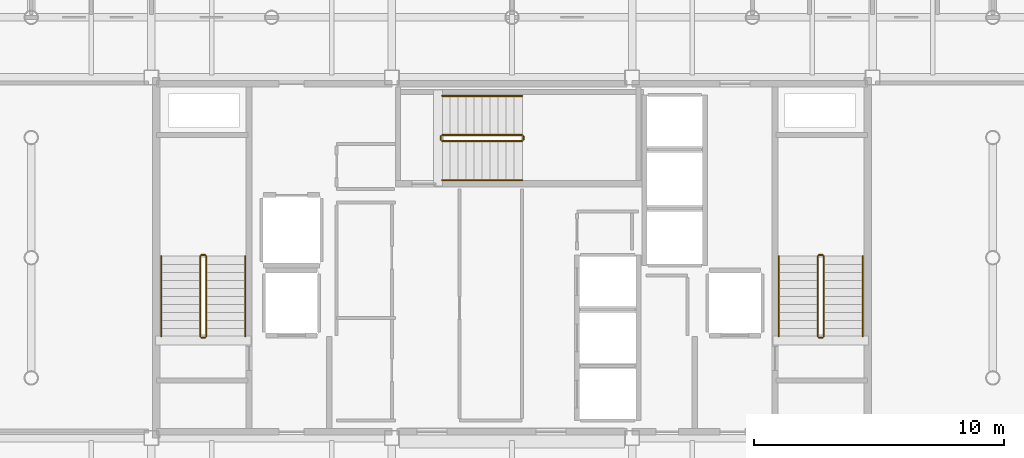
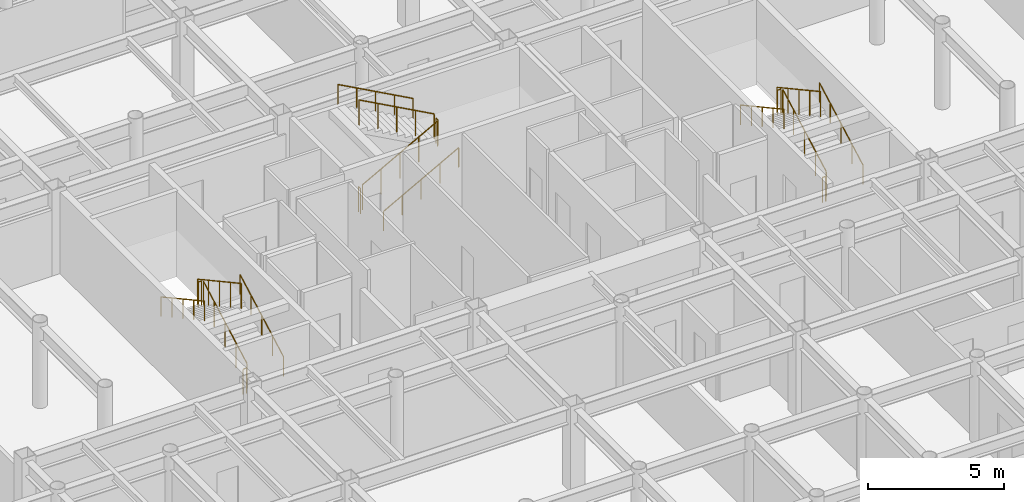
# One storey, part 22 of 22: 18 railings.
"""IFC4 building model written with IfcOpenShell, lengths in metres."""

from ifc_helpers import new_model, si_unit, direction, frame, origin, origin_2d, place, context, subcontext, project, spatial, circle, extrude, material, layer, layer_set, type_object, element, save


model = new_model("IFC4")

# Units and contexts
model_context = context("Model", 3, precision=1e-05, world=origin(), true_north=direction((0.0, 1.0)))
body_context = subcontext(model_context, "Body", "Model", "MODEL_VIEW")
ifc_project = project(units=[si_unit("LENGTHUNIT", "METRE"), si_unit("AREAUNIT", "SQUARE_METRE"), si_unit("VOLUMEUNIT", "CUBIC_METRE"), si_unit("PLANEANGLEUNIT", "RADIAN"), si_unit("MASSUNIT", "GRAM", prefix="KILO")], contexts=[model_context])

# Site, building, storey
site_placement = place(None, origin())
site = spatial("IfcSite", under=ifc_project, at=site_placement, CompositionType="ELEMENT")
building_placement = place(site_placement, origin())
building = spatial("IfcBuilding", under=site, at=building_placement, Name="Kallvorn Hotel Tower", CompositionType="ELEMENT")
storey_placement = place(building_placement, frame((0.0, 0.0, 206.89990234375)))
storey = spatial("IfcBuildingStorey", under=building, at=storey_placement, Name="L51", CompositionType="ELEMENT", Elevation=206.89990234375)

# Railings
ifc_material_1 = material(Name="Brushed stainless-steel tubular railing", Category="steel")
ifc_layer_1 = layer(ifc_material_1, 0.050048828125)
ifc_layer_set_1 = layer_set([ifc_layer_1], Name="RL_STAIR_GUARD")
railing_type_1 = type_object("IfcRailingType", Name="RL_STAIR_GUARD", PredefinedType="GUARDRAIL", material=ifc_layer_set_1)
railing_1_placement = place(storey_placement, frame((-12.2099609375, -3.139892578125, 0.175048828125)))
element("IfcRailing", 1, at=railing_1_placement, inside=storey, type_object=railing_type_1, Name="L51 ST1 stair guard 1", PredefinedType="GUARDRAIL", context=body_context, shape_type="SweptSolid", body=[
    extrude(circle(Radius=0.02392578125, at=origin_2d()), frame((0.0, 0.0, 1.1259765625), z_axis=(0.0, 0.877368057402, 0.479817977833), x_axis=(-1.0, 0.0, 0.0)), (0.0, 0.0, 1.0), 3.647216796875),
    extrude(circle(Radius=0.02099609375, at=origin_2d()), origin(), (0.0, 0.0, 1.0), 1.101806640625),
    extrude(circle(Radius=0.02099609375, at=origin_2d()), frame((0.0, 0.800048828125, 0.4375)), (0.0, 0.0, 1.0), 1.101806640625),
    extrude(circle(Radius=0.02099609375, at=origin_2d()), frame((0.0, 1.60009765625, 0.875)), (0.0, 0.0, 1.0), 1.101806640625),
    extrude(circle(Radius=0.02099609375, at=origin_2d()), frame((0.0, 2.39990234375, 1.3125)), (0.0, 0.0, 1.0), 1.101806640625),
    extrude(circle(Radius=0.02099609375, at=origin_2d()), frame((0.0, 3.199951171875, 1.75)), (0.0, 0.0, 1.0), 1.101806640625),
])
railing_2_placement = place(storey_placement, frame((-12.260009765625, 0.110107421875, 1.925048828125)))
element("IfcRailing", 2, at=railing_2_placement, inside=storey, type_object=railing_type_1, Name="L51 ST1 stair guard 2", PredefinedType="GUARDRAIL", context=body_context, shape_type="SweptSolid", body=[
    extrude(circle(Radius=0.02392578125, at=origin_2d()), frame((0.0, 0.0, 1.1259765625), z_axis=(-1.0, 0.0, 0.0), x_axis=(0.0, -1.0, 0.0)), (0.0, 0.0, 1.0), 0.139892578125),
    extrude(circle(Radius=0.02099609375, at=origin_2d()), origin(), (0.0, 0.0, 1.0), 1.101806640625),
    extrude(circle(Radius=0.02099609375, at=origin_2d()), frame((-0.139892578125, 0.0, 0.0)), (0.0, 0.0, 1.0), 1.101806640625),
])
railing_3_placement = place(storey_placement, frame((-12.449951171875, 0.06005859375, 2.10009765625)))
element("IfcRailing", 3, at=railing_3_placement, inside=storey, type_object=railing_type_1, Name="L51 ST1 stair guard 3", PredefinedType="GUARDRAIL", context=body_context, shape_type="SweptSolid", body=[
    extrude(circle(Radius=0.02392578125, at=origin_2d()), frame((0.0, 0.0, 1.1259765625), z_axis=(0.0, -0.877368057402, 0.479817977833), x_axis=(1.0, 0.0, 0.0)), (0.0, 0.0, 1.0), 3.647216796875),
    extrude(circle(Radius=0.02099609375, at=origin_2d()), origin(), (0.0, 0.0, 1.0), 1.101806640625),
    extrude(circle(Radius=0.02099609375, at=origin_2d()), frame((0.0, -0.800048828125, 0.4375)), (0.0, 0.0, 1.0), 1.101806640625),
    extrude(circle(Radius=0.02099609375, at=origin_2d()), frame((0.0, -1.60009765625, 0.875)), (0.0, 0.0, 1.0), 1.101806640625),
    extrude(circle(Radius=0.02099609375, at=origin_2d()), frame((0.0, -2.39990234375, 1.3125)), (0.0, 0.0, 1.0), 1.101806640625),
    extrude(circle(Radius=0.02099609375, at=origin_2d()), frame((0.0, -3.199951171875, 1.75)), (0.0, 0.0, 1.0), 1.101806640625),
])
railing_4_placement = place(storey_placement, frame((-12.260009765625, -3.18994140625, 0.0)))
element("IfcRailing", 4, at=railing_4_placement, inside=storey, type_object=railing_type_1, Name="L51 ST1 stair guard 4", PredefinedType="GUARDRAIL", context=body_context, shape_type="SweptSolid", body=[
    extrude(circle(Radius=0.02392578125, at=origin_2d()), frame((0.0, 0.0, 1.1259765625), z_axis=(-1.0, 0.0, 0.0), x_axis=(0.0, -1.0, 0.0)), (0.0, 0.0, 1.0), 0.139892578125),
    extrude(circle(Radius=0.02099609375, at=origin_2d()), origin(), (0.0, 0.0, 1.0), 1.101806640625),
    extrude(circle(Radius=0.02099609375, at=origin_2d()), frame((-0.139892578125, 0.0, 0.0)), (0.0, 0.0, 1.0), 1.101806640625),
])
railing_5_placement = place(storey_placement, frame((12.449951171875, -3.139892578125, 0.175048828125)))
element("IfcRailing", 5, at=railing_5_placement, inside=storey, type_object=railing_type_1, Name="L51 ST2 stair guard 1", PredefinedType="GUARDRAIL", context=body_context, shape_type="SweptSolid", body=[
    extrude(circle(Radius=0.02392578125, at=origin_2d()), frame((0.0, 0.0, 1.1259765625), z_axis=(0.0, 0.877368057402, 0.479817977833), x_axis=(-1.0, 0.0, 0.0)), (0.0, 0.0, 1.0), 3.647216796875),
    extrude(circle(Radius=0.02099609375, at=origin_2d()), origin(), (0.0, 0.0, 1.0), 1.101806640625),
    extrude(circle(Radius=0.02099609375, at=origin_2d()), frame((0.0, 0.800048828125, 0.4375)), (0.0, 0.0, 1.0), 1.101806640625),
    extrude(circle(Radius=0.02099609375, at=origin_2d()), frame((0.0, 1.60009765625, 0.875)), (0.0, 0.0, 1.0), 1.101806640625),
    extrude(circle(Radius=0.02099609375, at=origin_2d()), frame((0.0, 2.39990234375, 1.3125)), (0.0, 0.0, 1.0), 1.101806640625),
    extrude(circle(Radius=0.02099609375, at=origin_2d()), frame((0.0, 3.199951171875, 1.75)), (0.0, 0.0, 1.0), 1.101806640625),
])
railing_6_placement = place(storey_placement, frame((12.39990234375, 0.110107421875, 1.925048828125)))
element("IfcRailing", 6, at=railing_6_placement, inside=storey, type_object=railing_type_1, Name="L51 ST2 stair guard 2", PredefinedType="GUARDRAIL", context=body_context, shape_type="SweptSolid", body=[
    extrude(circle(Radius=0.02392578125, at=origin_2d()), frame((0.0, 0.0, 1.1259765625), z_axis=(-1.0, 0.0, 0.0), x_axis=(0.0, -1.0, 0.0)), (0.0, 0.0, 1.0), 0.139892578125),
    extrude(circle(Radius=0.02099609375, at=origin_2d()), origin(), (0.0, 0.0, 1.0), 1.101806640625),
    extrude(circle(Radius=0.02099609375, at=origin_2d()), frame((-0.139892578125, 0.0, 0.0)), (0.0, 0.0, 1.0), 1.101806640625),
])
railing_7_placement = place(storey_placement, frame((12.2099609375, 0.06005859375, 2.10009765625)))
element("IfcRailing", 7, at=railing_7_placement, inside=storey, type_object=railing_type_1, Name="L51 ST2 stair guard 3", PredefinedType="GUARDRAIL", context=body_context, shape_type="SweptSolid", body=[
    extrude(circle(Radius=0.02392578125, at=origin_2d()), frame((0.0, 0.0, 1.1259765625), z_axis=(0.0, -0.877368057402, 0.479817977833), x_axis=(1.0, 0.0, 0.0)), (0.0, 0.0, 1.0), 3.647216796875),
    extrude(circle(Radius=0.02099609375, at=origin_2d()), origin(), (0.0, 0.0, 1.0), 1.101806640625),
    extrude(circle(Radius=0.02099609375, at=origin_2d()), frame((0.0, -0.800048828125, 0.4375)), (0.0, 0.0, 1.0), 1.101806640625),
    extrude(circle(Radius=0.02099609375, at=origin_2d()), frame((0.0, -1.60009765625, 0.875)), (0.0, 0.0, 1.0), 1.101806640625),
    extrude(circle(Radius=0.02099609375, at=origin_2d()), frame((0.0, -2.39990234375, 1.3125)), (0.0, 0.0, 1.0), 1.101806640625),
    extrude(circle(Radius=0.02099609375, at=origin_2d()), frame((0.0, -3.199951171875, 1.75)), (0.0, 0.0, 1.0), 1.101806640625),
])
railing_8_placement = place(storey_placement, frame((12.39990234375, -3.18994140625, 0.0)))
element("IfcRailing", 8, at=railing_8_placement, inside=storey, type_object=railing_type_1, Name="L51 ST2 stair guard 4", PredefinedType="GUARDRAIL", context=body_context, shape_type="SweptSolid", body=[
    extrude(circle(Radius=0.02392578125, at=origin_2d()), frame((0.0, 0.0, 1.1259765625), z_axis=(-1.0, 0.0, 0.0), x_axis=(0.0, -1.0, 0.0)), (0.0, 0.0, 1.0), 0.139892578125),
    extrude(circle(Radius=0.02099609375, at=origin_2d()), origin(), (0.0, 0.0, 1.0), 1.101806640625),
    extrude(circle(Radius=0.02099609375, at=origin_2d()), frame((-0.139892578125, 0.0, 0.0)), (0.0, 0.0, 1.0), 1.101806640625),
])
railing_9_placement = place(storey_placement, frame((-2.7900390625, 4.659912109375, 0.175048828125)))
element("IfcRailing", 9, at=railing_9_placement, inside=storey, type_object=railing_type_1, Name="L51 ST3 stair guard 1", PredefinedType="GUARDRAIL", context=body_context, shape_type="SweptSolid", body=[
    extrude(circle(Radius=0.02392578125, at=origin_2d()), frame((0.0, 0.0, 1.1259765625), z_axis=(0.877368057402, 0.0, 0.479817977833), x_axis=(0.0, 1.0, 0.0)), (0.0, 0.0, 1.0), 3.647216796875),
    extrude(circle(Radius=0.02099609375, at=origin_2d()), origin(), (0.0, 0.0, 1.0), 1.101806640625),
    extrude(circle(Radius=0.02099609375, at=origin_2d()), frame((0.800048828125, 0.0, 0.4375)), (0.0, 0.0, 1.0), 1.101806640625),
    extrude(circle(Radius=0.02099609375, at=origin_2d()), frame((1.60009765625, 0.0, 0.875)), (0.0, 0.0, 1.0), 1.101806640625),
    extrude(circle(Radius=0.02099609375, at=origin_2d()), frame((2.39990234375, 0.0, 1.3125)), (0.0, 0.0, 1.0), 1.101806640625),
    extrude(circle(Radius=0.02099609375, at=origin_2d()), frame((3.199951171875, 0.0, 1.75)), (0.0, 0.0, 1.0), 1.101806640625),
])
railing_10_placement = place(storey_placement, frame((0.4599609375, 4.7099609375, 1.925048828125)))
element("IfcRailing", 10, at=railing_10_placement, inside=storey, type_object=railing_type_1, Name="L51 ST3 stair guard 2", PredefinedType="GUARDRAIL", context=body_context, shape_type="SweptSolid", body=[
    extrude(circle(Radius=0.02392578125, at=origin_2d()), frame((0.0, 0.0, 1.1259765625), z_axis=(0.0, 1.0, 0.0), x_axis=(-1.0, 0.0, 0.0)), (0.0, 0.0, 1.0), 0.14013671875),
    extrude(circle(Radius=0.02099609375, at=origin_2d()), origin(), (0.0, 0.0, 1.0), 1.101806640625),
    extrude(circle(Radius=0.02099609375, at=origin_2d()), frame((0.0, 0.14013671875, 0.0)), (0.0, 0.0, 1.0), 1.101806640625),
])
railing_11_placement = place(storey_placement, frame((0.409912109375, 4.89990234375, 2.10009765625)))
element("IfcRailing", 11, at=railing_11_placement, inside=storey, type_object=railing_type_1, Name="L51 ST3 stair guard 3", PredefinedType="GUARDRAIL", context=body_context, shape_type="SweptSolid", body=[
    extrude(circle(Radius=0.02392578125, at=origin_2d()), frame((0.0, 0.0, 1.1259765625), z_axis=(-0.877368057402, 0.0, 0.479817977833), x_axis=(0.0, -1.0, 0.0)), (0.0, 0.0, 1.0), 3.647216796875),
    extrude(circle(Radius=0.02099609375, at=origin_2d()), origin(), (0.0, 0.0, 1.0), 1.101806640625),
    extrude(circle(Radius=0.02099609375, at=origin_2d()), frame((-0.800048828125, 0.0, 0.4375)), (0.0, 0.0, 1.0), 1.101806640625),
    extrude(circle(Radius=0.02099609375, at=origin_2d()), frame((-1.60009765625, 0.0, 0.875)), (0.0, 0.0, 1.0), 1.101806640625),
    extrude(circle(Radius=0.02099609375, at=origin_2d()), frame((-2.39990234375, 0.0, 1.3125)), (0.0, 0.0, 1.0), 1.101806640625),
    extrude(circle(Radius=0.02099609375, at=origin_2d()), frame((-3.199951171875, 0.0, 1.75)), (0.0, 0.0, 1.0), 1.101806640625),
])
railing_12_placement = place(storey_placement, frame((-2.840087890625, 4.7099609375, 0.0)))
element("IfcRailing", 12, at=railing_12_placement, inside=storey, type_object=railing_type_1, Name="L51 ST3 stair guard 4", PredefinedType="GUARDRAIL", context=body_context, shape_type="SweptSolid", body=[
    extrude(circle(Radius=0.02392578125, at=origin_2d()), frame((0.0, 0.0, 1.1259765625), z_axis=(0.0, 1.0, 0.0), x_axis=(-1.0, 0.0, 0.0)), (0.0, 0.0, 1.0), 0.14013671875),
    extrude(circle(Radius=0.02099609375, at=origin_2d()), origin(), (0.0, 0.0, 1.0), 1.101806640625),
    extrude(circle(Radius=0.02099609375, at=origin_2d()), frame((0.0, 0.14013671875, 0.0)), (0.0, 0.0, 1.0), 1.101806640625),
])
ifc_material_2 = material(Name="Brushed stainless-steel tubular railing", Category="steel")
ifc_layer_2 = layer(ifc_material_2, 0.050048828125)
ifc_layer_set_2 = layer_set([ifc_layer_2], Name="RL_STAIR_HAND")
railing_type_2 = type_object("IfcRailingType", Name="RL_STAIR_HAND", PredefinedType="HANDRAIL", material=ifc_layer_set_2)
railing_13_placement = place(storey_placement, frame((-10.64990234375, -3.139892578125, 0.175048828125)))
element("IfcRailing", 13, at=railing_13_placement, inside=storey, type_object=railing_type_2, Name="L51 ST1 stair handrail 1", PredefinedType="HANDRAIL", context=body_context, shape_type="SweptSolid", body=[
    extrude(circle(Radius=0.02392578125, at=origin_2d()), frame((0.0, 0.0, 0.8759765625), z_axis=(0.0, 0.877368057402, 0.479817977833), x_axis=(-1.0, 0.0, 0.0)), (0.0, 0.0, 1.0), 3.647216796875),
    extrude(circle(Radius=0.02099609375, at=origin_2d()), origin(), (0.0, 0.0, 1.0), 0.851806640625),
    extrude(circle(Radius=0.02099609375, at=origin_2d()), frame((0.0, 0.800048828125, 0.4375)), (0.0, 0.0, 1.0), 0.851806640625),
    extrude(circle(Radius=0.02099609375, at=origin_2d()), frame((0.0, 1.60009765625, 0.875)), (0.0, 0.0, 1.0), 0.851806640625),
    extrude(circle(Radius=0.02099609375, at=origin_2d()), frame((0.0, 2.39990234375, 1.3125)), (0.0, 0.0, 1.0), 0.851806640625),
    extrude(circle(Radius=0.02099609375, at=origin_2d()), frame((0.0, 3.199951171875, 1.75)), (0.0, 0.0, 1.0), 0.851806640625),
])
railing_14_placement = place(storey_placement, frame((-14.010009765625, 0.06005859375, 2.10009765625)))
element("IfcRailing", 14, at=railing_14_placement, inside=storey, type_object=railing_type_2, Name="L51 ST1 stair handrail 2", PredefinedType="HANDRAIL", context=body_context, shape_type="SweptSolid", body=[
    extrude(circle(Radius=0.02392578125, at=origin_2d()), frame((0.0, 0.0, 0.8759765625), z_axis=(0.0, -0.877368057402, 0.479817977833), x_axis=(1.0, 0.0, 0.0)), (0.0, 0.0, 1.0), 3.647216796875),
    extrude(circle(Radius=0.02099609375, at=origin_2d()), origin(), (0.0, 0.0, 1.0), 0.851806640625),
    extrude(circle(Radius=0.02099609375, at=origin_2d()), frame((0.0, -0.800048828125, 0.4375)), (0.0, 0.0, 1.0), 0.851806640625),
    extrude(circle(Radius=0.02099609375, at=origin_2d()), frame((0.0, -1.60009765625, 0.875)), (0.0, 0.0, 1.0), 0.851806640625),
    extrude(circle(Radius=0.02099609375, at=origin_2d()), frame((0.0, -2.39990234375, 1.3125)), (0.0, 0.0, 1.0), 0.851806640625),
    extrude(circle(Radius=0.02099609375, at=origin_2d()), frame((0.0, -3.199951171875, 1.75)), (0.0, 0.0, 1.0), 0.851806640625),
])
railing_15_placement = place(storey_placement, frame((14.010009765625, -3.139892578125, 0.175048828125)))
element("IfcRailing", 15, at=railing_15_placement, inside=storey, type_object=railing_type_2, Name="L51 ST2 stair handrail 1", PredefinedType="HANDRAIL", context=body_context, shape_type="SweptSolid", body=[
    extrude(circle(Radius=0.02392578125, at=origin_2d()), frame((0.0, 0.0, 0.8759765625), z_axis=(0.0, 0.877368057402, 0.479817977833), x_axis=(-1.0, 0.0, 0.0)), (0.0, 0.0, 1.0), 3.647216796875),
    extrude(circle(Radius=0.02099609375, at=origin_2d()), origin(), (0.0, 0.0, 1.0), 0.851806640625),
    extrude(circle(Radius=0.02099609375, at=origin_2d()), frame((0.0, 0.800048828125, 0.4375)), (0.0, 0.0, 1.0), 0.851806640625),
    extrude(circle(Radius=0.02099609375, at=origin_2d()), frame((0.0, 1.60009765625, 0.875)), (0.0, 0.0, 1.0), 0.851806640625),
    extrude(circle(Radius=0.02099609375, at=origin_2d()), frame((0.0, 2.39990234375, 1.3125)), (0.0, 0.0, 1.0), 0.851806640625),
    extrude(circle(Radius=0.02099609375, at=origin_2d()), frame((0.0, 3.199951171875, 1.75)), (0.0, 0.0, 1.0), 0.851806640625),
])
railing_16_placement = place(storey_placement, frame((10.64990234375, 0.06005859375, 2.10009765625)))
element("IfcRailing", 16, at=railing_16_placement, inside=storey, type_object=railing_type_2, Name="L51 ST2 stair handrail 2", PredefinedType="HANDRAIL", context=body_context, shape_type="SweptSolid", body=[
    extrude(circle(Radius=0.02392578125, at=origin_2d()), frame((0.0, 0.0, 0.8759765625), z_axis=(0.0, -0.877368057402, 0.479817977833), x_axis=(1.0, 0.0, 0.0)), (0.0, 0.0, 1.0), 3.647216796875),
    extrude(circle(Radius=0.02099609375, at=origin_2d()), origin(), (0.0, 0.0, 1.0), 0.851806640625),
    extrude(circle(Radius=0.02099609375, at=origin_2d()), frame((0.0, -0.800048828125, 0.4375)), (0.0, 0.0, 1.0), 0.851806640625),
    extrude(circle(Radius=0.02099609375, at=origin_2d()), frame((0.0, -1.60009765625, 0.875)), (0.0, 0.0, 1.0), 0.851806640625),
    extrude(circle(Radius=0.02099609375, at=origin_2d()), frame((0.0, -2.39990234375, 1.3125)), (0.0, 0.0, 1.0), 0.851806640625),
    extrude(circle(Radius=0.02099609375, at=origin_2d()), frame((0.0, -3.199951171875, 1.75)), (0.0, 0.0, 1.0), 0.851806640625),
])
railing_17_placement = place(storey_placement, frame((-2.7900390625, 3.10009765625, 0.175048828125)))
element("IfcRailing", 17, at=railing_17_placement, inside=storey, type_object=railing_type_2, Name="L51 ST3 stair handrail 1", PredefinedType="HANDRAIL", context=body_context, shape_type="SweptSolid", body=[
    extrude(circle(Radius=0.02392578125, at=origin_2d()), frame((0.0, 0.0, 0.8759765625), z_axis=(0.877368057402, 0.0, 0.479817977833), x_axis=(0.0, 1.0, 0.0)), (0.0, 0.0, 1.0), 3.647216796875),
    extrude(circle(Radius=0.02099609375, at=origin_2d()), origin(), (0.0, 0.0, 1.0), 0.851806640625),
    extrude(circle(Radius=0.02099609375, at=origin_2d()), frame((0.800048828125, 0.0, 0.4375)), (0.0, 0.0, 1.0), 0.851806640625),
    extrude(circle(Radius=0.02099609375, at=origin_2d()), frame((1.60009765625, 0.0, 0.875)), (0.0, 0.0, 1.0), 0.851806640625),
    extrude(circle(Radius=0.02099609375, at=origin_2d()), frame((2.39990234375, 0.0, 1.3125)), (0.0, 0.0, 1.0), 0.851806640625),
    extrude(circle(Radius=0.02099609375, at=origin_2d()), frame((3.199951171875, 0.0, 1.75)), (0.0, 0.0, 1.0), 0.851806640625),
])
railing_18_placement = place(storey_placement, frame((0.409912109375, 6.4599609375, 2.10009765625)))
element("IfcRailing", 18, at=railing_18_placement, inside=storey, type_object=railing_type_2, Name="L51 ST3 stair handrail 2", PredefinedType="HANDRAIL", context=body_context, shape_type="SweptSolid", body=[
    extrude(circle(Radius=0.02392578125, at=origin_2d()), frame((0.0, 0.0, 0.8759765625), z_axis=(-0.877368057402, 0.0, 0.479817977833), x_axis=(0.0, -1.0, 0.0)), (0.0, 0.0, 1.0), 3.647216796875),
    extrude(circle(Radius=0.02099609375, at=origin_2d()), origin(), (0.0, 0.0, 1.0), 0.851806640625),
    extrude(circle(Radius=0.02099609375, at=origin_2d()), frame((-0.800048828125, 0.0, 0.4375)), (0.0, 0.0, 1.0), 0.851806640625),
    extrude(circle(Radius=0.02099609375, at=origin_2d()), frame((-1.60009765625, 0.0, 0.875)), (0.0, 0.0, 1.0), 0.851806640625),
    extrude(circle(Radius=0.02099609375, at=origin_2d()), frame((-2.39990234375, 0.0, 1.3125)), (0.0, 0.0, 1.0), 0.851806640625),
    extrude(circle(Radius=0.02099609375, at=origin_2d()), frame((-3.199951171875, 0.0, 1.75)), (0.0, 0.0, 1.0), 0.851806640625),
])

save(model, "model.ifc")
